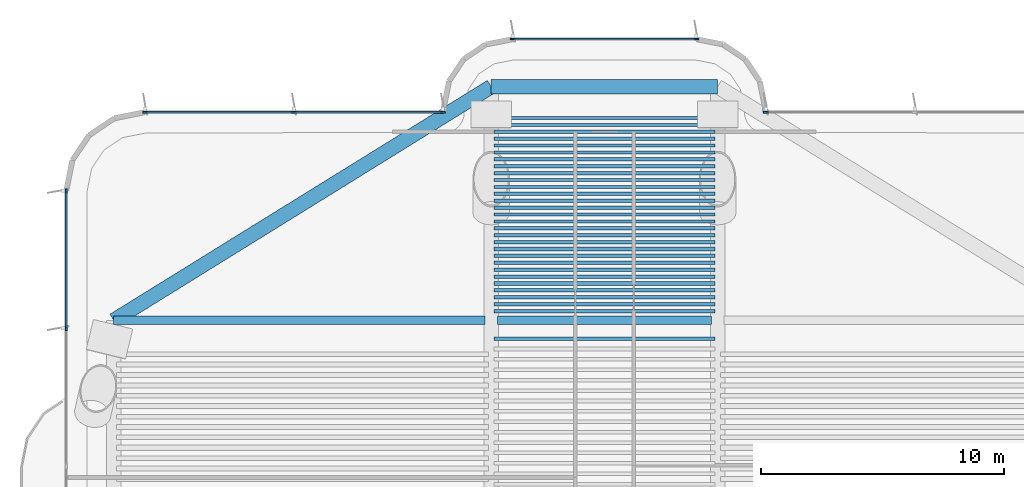
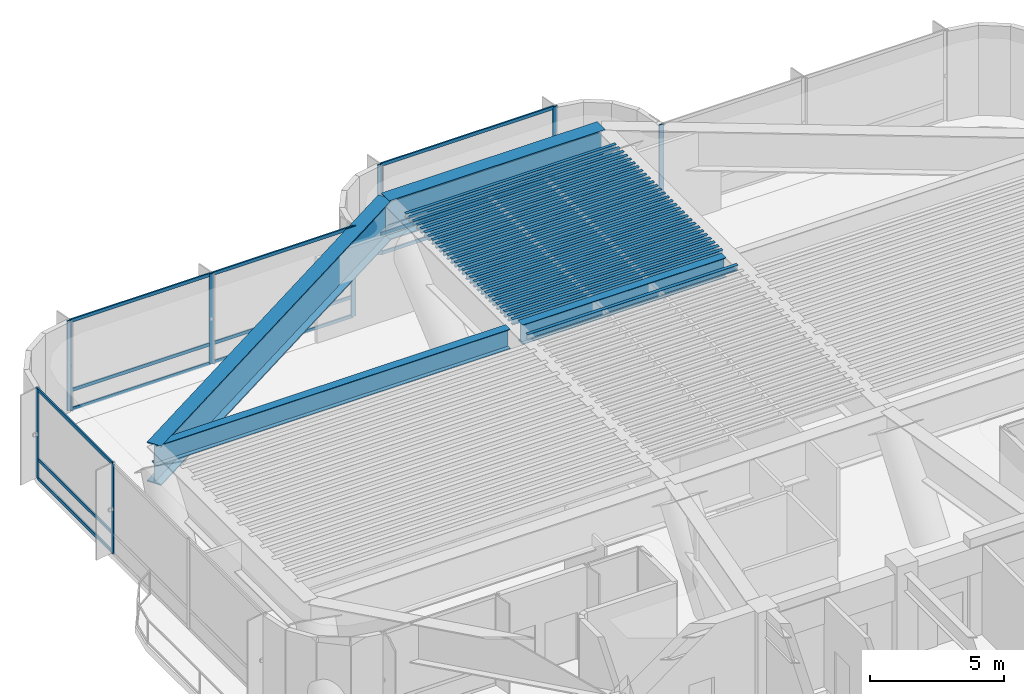
# One storey, part 5 of 14: 34 beams, 20 members, 4 elements without a shape of their own.
"""IFC4 building model written with IfcOpenShell, lengths in metres."""

from ifc_helpers import new_model, si_unit, direction, frame, origin, origin_2d, place, context, subcontext, project, spatial, rectangle, i_section, extrude, source, transform, mapped, material, layer, layer_set, material_profile, profile_set, type_object, element, aggregate, save


model = new_model("IFC4")

# Units and contexts
model_context = context("Model", 3, precision=1e-05, world=origin(), true_north=direction((0.0, 1.0)))
body_context = subcontext(model_context, "Body", "Model", "MODEL_VIEW")
ifc_project = project(units=[si_unit("LENGTHUNIT", "METRE"), si_unit("AREAUNIT", "SQUARE_METRE"), si_unit("VOLUMEUNIT", "CUBIC_METRE"), si_unit("PLANEANGLEUNIT", "RADIAN"), si_unit("MASSUNIT", "GRAM", prefix="KILO")], contexts=[model_context])

# Site, building, storey
site_placement = place(None, origin())
site = spatial("IfcSite", under=ifc_project, at=site_placement, CompositionType="ELEMENT")
building_placement = place(site_placement, origin())
building = spatial("IfcBuilding", under=site, at=building_placement, Name="Brelvock Crest Care Tower", CompositionType="ELEMENT")
storey_placement = place(building_placement, frame((0.0, 0.0, 85.320068359375)))
storey = spatial("IfcBuildingStorey", under=building, at=storey_placement, Name="L21", CompositionType="ELEMENT", Elevation=85.320068359375)

# Beams
ifc_material_1 = material(Name="Steel Grade 350", Category="steel")
ifc_material_profile_1 = material_profile(ifc_material_1, i_section(OverallWidth=0.60009765625, OverallDepth=1.800048828125, WebThickness=0.028076171875, FlangeThickness=0.052001953125, at=origin_2d()), Name="1800TG740")
ifc_profile_set_1 = profile_set([ifc_material_profile_1], Name="Steel Grade 350")
beam_type_1 = type_object("IfcBeamType", Name="BM-TG1", PredefinedType="USERDEFINED", material=ifc_profile_set_1)
shared_shape_1 = source(origin(), body_context, "Body", "SweptSolid", [
    extrude(i_section(OverallWidth=0.60009765625, OverallDepth=1.800048828125, WebThickness=0.028076171875, FlangeThickness=0.052001953125, at=origin_2d()), origin(), (0.0, 0.0, 1.0), 9.2998046875),
])
beam_1_placement = place(storey_placement, frame((31.35009765625, 48.449951171875, 3.19189453125), z_axis=(1.0, 0.0, 0.0), x_axis=(0.0, 1.0, 0.0)))
element("IfcBeam", 1, at=beam_1_placement, inside=storey, type_object=beam_type_1, Name="BM-TWR-L21-08", ObjectType="GIRDER", PredefinedType="USERDEFINED", context=body_context, shape_type="MappedRepresentation", body=[
    mapped(shared_shape_1, transform((0.0, 0.0, 0.0), x_axis=(1.0, 0.0, 0.0), y_axis=(0.0, 1.0, 0.0), z_axis=(0.0, 0.0, 1.0), scale=1.0)),
])
ifc_material_profile_2 = material_profile(ifc_material_1, i_section(OverallWidth=0.14599609375, OverallDepth=0.256103515625, WebThickness=0.00634765625, FlangeThickness=0.010986328125, FilletRadius=0.0087890625, at=origin_2d()), Name="250UB37.3")
ifc_profile_set_2 = profile_set([ifc_material_profile_2], Name="Steel Grade 350")
beam_type_2 = type_object("IfcBeamType", Name="BM-J3", PredefinedType="JOIST", material=ifc_profile_set_2)
shared_shape_2 = source(origin(), body_context, "Body", "SweptSolid", [
    extrude(i_section(OverallWidth=0.14599609375, OverallDepth=0.256103515625, WebThickness=0.00634765625, FlangeThickness=0.010986328125, FilletRadius=0.0087890625, at=origin_2d()), origin(), (0.0, 0.0, 1.0), 9.06982421875),
])
for number, where, z_axis, x_axis, name in (
    (2, (31.465087890625, 38.10400390625, 3.9638671875), (1.0, 0.0, 0.0), (0.0, 1.0, 0.0), "BM-JH-L21-25"),
    (3, (31.465087890625, 39.23388671875, 3.9638671875), (1.0, 0.0, 0.0), (0.0, 1.0, 0.0), "BM-JN-L21-1"),
    (4, (31.465087890625, 39.51708984375, 3.9638671875), (1.0, 0.0, 0.0), (0.0, 1.0, 0.0), "BM-JN-L21-2"),
    (5, (31.465087890625, 39.80029296875, 3.9638671875), (1.0, 0.0, 0.0), (0.0, 1.0, 0.0), "BM-JN-L21-3"),
    (6, (31.465087890625, 40.08349609375, 3.9638671875), (1.0, 0.0, 0.0), (0.0, 1.0, 0.0), "BM-JN-L21-4"),
    (7, (31.465087890625, 40.36669921875, 3.9638671875), (1.0, 0.0, 0.0), (0.0, 1.0, 0.0), "BM-JN-L21-5"),
    (8, (31.465087890625, 40.64990234375, 3.9638671875), (1.0, 0.0, 0.0), (0.0, 1.0, 0.0), "BM-JN-L21-6"),
    (9, (31.465087890625, 40.93310546875, 3.9638671875), (1.0, 0.0, 0.0), (0.0, 1.0, 0.0), "BM-JN-L21-7"),
    (10, (31.465087890625, 41.21630859375, 3.9638671875), (1.0, 0.0, 0.0), (0.0, 1.0, 0.0), "BM-JN-L21-8"),
    (11, (31.465087890625, 41.49951171875, 3.9638671875), (1.0, 0.0, 0.0), (0.0, 1.0, 0.0), "BM-JN-L21-9"),
    (12, (31.465087890625, 41.78271484375, 3.9638671875), (1.0, 0.0, 0.0), (0.0, 1.0, 0.0), "BM-JN-L21-10"),
    (13, (31.465087890625, 42.06591796875, 3.9638671875), (1.0, 0.0, 0.0), (0.0, 1.0, 0.0), "BM-JN-L21-11"),
    (14, (31.465087890625, 42.34912109375, 3.9638671875), (1.0, 0.0, 0.0), (0.0, 1.0, 0.0), "BM-JN-L21-12"),
    (15, (31.465087890625, 42.63232421875, 3.9638671875), (1.0, 0.0, 0.0), (0.0, 1.0, 0.0), "BM-JN-L21-13"),
):
    element("IfcBeam", number, at=place(storey_placement, frame(where, z_axis=z_axis, x_axis=x_axis)), inside=storey, type_object=beam_type_2, Name=name, PredefinedType="JOIST", context=body_context, shape_type="MappedRepresentation", body=[
        mapped(shared_shape_2, transform((0.0, 0.0, 0.0), x_axis=(1.0, 0.0, 0.0), y_axis=(0.0, 1.0, 0.0), z_axis=(0.0, 0.0, 1.0), scale=1.0)),
    ])
ifc_material_profile_3 = material_profile(ifc_material_1, i_section(OverallWidth=0.134033203125, OverallDepth=0.20703125, WebThickness=0.00634765625, FlangeThickness=0.009521484375, FilletRadius=0.0087890625, at=origin_2d()), Name="200UB29.8")
ifc_profile_set_3 = profile_set([ifc_material_profile_3], Name="Steel Grade 350")
beam_type_3 = type_object("IfcBeamType", Name="BM-J4", PredefinedType="JOIST", material=ifc_profile_set_3)
shared_shape_3 = source(origin(), body_context, "Body", "SweptSolid", [
    extrude(i_section(OverallWidth=0.134033203125, OverallDepth=0.20703125, WebThickness=0.00634765625, FlangeThickness=0.009521484375, FilletRadius=0.0087890625, at=origin_2d()), origin(), (0.0, 0.0, 1.0), 9.06982421875),
])
for number, where, z_axis, x_axis, name in (
    (16, (31.465087890625, 42.91552734375, 3.988525390625), (1.0, 0.0, 0.0), (0.0, 1.0, 0.0), "BM-JN-L21-14"),
    (17, (31.465087890625, 43.19873046875, 3.988525390625), (1.0, 0.0, 0.0), (0.0, 1.0, 0.0), "BM-JN-L21-15"),
    (18, (31.465087890625, 43.48193359375, 3.988525390625), (1.0, 0.0, 0.0), (0.0, 1.0, 0.0), "BM-JN-L21-16"),
    (19, (31.465087890625, 43.76513671875, 3.988525390625), (1.0, 0.0, 0.0), (0.0, 1.0, 0.0), "BM-JN-L21-17"),
    (20, (31.465087890625, 44.04833984375, 3.988525390625), (1.0, 0.0, 0.0), (0.0, 1.0, 0.0), "BM-JN-L21-18"),
    (21, (31.465087890625, 44.33154296875, 3.988525390625), (1.0, 0.0, 0.0), (0.0, 1.0, 0.0), "BM-JN-L21-19"),
    (22, (31.465087890625, 44.61474609375, 3.988525390625), (1.0, 0.0, 0.0), (0.0, 1.0, 0.0), "BM-JN-L21-20"),
    (23, (31.465087890625, 44.89794921875, 3.988525390625), (1.0, 0.0, 0.0), (0.0, 1.0, 0.0), "BM-JN-L21-21"),
    (24, (31.465087890625, 45.18115234375, 3.988525390625), (1.0, 0.0, 0.0), (0.0, 1.0, 0.0), "BM-JN-L21-22"),
    (25, (31.465087890625, 45.46435546875, 3.988525390625), (1.0, 0.0, 0.0), (0.0, 1.0, 0.0), "BM-JN-L21-23"),
    (26, (31.465087890625, 45.74755859375, 3.988525390625), (1.0, 0.0, 0.0), (0.0, 1.0, 0.0), "BM-JN-L21-24"),
    (27, (31.465087890625, 46.03076171875, 3.988525390625), (1.0, 0.0, 0.0), (0.0, 1.0, 0.0), "BM-JN-L21-25"),
    (28, (31.465087890625, 46.31396484375, 3.988525390625), (1.0, 0.0, 0.0), (0.0, 1.0, 0.0), "BM-JN-L21-26"),
    (29, (31.465087890625, 46.59716796875, 3.988525390625), (1.0, 0.0, 0.0), (0.0, 1.0, 0.0), "BM-JN-L21-27"),
    (30, (31.465087890625, 46.88037109375, 3.988525390625), (1.0, 0.0, 0.0), (0.0, 1.0, 0.0), "BM-JN-L21-28"),
    (31, (31.465087890625, 47.16357421875, 3.988525390625), (1.0, 0.0, 0.0), (0.0, 1.0, 0.0), "BM-JN-L21-29"),
):
    element("IfcBeam", number, at=place(storey_placement, frame(where, z_axis=z_axis, x_axis=x_axis)), inside=storey, type_object=beam_type_3, Name=name, PredefinedType="JOIST", context=body_context, shape_type="MappedRepresentation", body=[
        mapped(shared_shape_3, transform((0.0, 0.0, 0.0), x_axis=(1.0, 0.0, 0.0), y_axis=(0.0, 1.0, 0.0), z_axis=(0.0, 0.0, 1.0), scale=1.0)),
    ])
ifc_material_profile_4 = material_profile(ifc_material_1, i_section(OverallWidth=0.35009765625, OverallDepth=0.89990234375, WebThickness=0.01611328125, FlangeThickness=0.028076171875, at=origin_2d()), Name="900WB257")
ifc_profile_set_4 = profile_set([ifc_material_profile_4], Name="Steel Grade 350")
beam_type_4 = type_object("IfcBeamType", Name="BM-G6", PredefinedType="BEAM", material=ifc_profile_set_4)
shared_shape_4 = source(origin(), body_context, "Body", "SweptSolid", [
    extrude(i_section(OverallWidth=0.35009765625, OverallDepth=0.89990234375, WebThickness=0.01611328125, FlangeThickness=0.028076171875, at=origin_2d()), origin(), (0.0, 0.0, 1.0), 8.77978515625),
])
beam_2_placement = place(storey_placement, frame((31.610107421875, 38.85009765625, 3.641845703125), z_axis=(1.0, 0.0, 0.0), x_axis=(0.0, 1.0, 0.0)))
element("IfcBeam", 32, at=beam_2_placement, inside=storey, type_object=beam_type_4, Name="BM-TIE-L21-C", PredefinedType="BEAM", context=body_context, shape_type="MappedRepresentation", body=[
    mapped(shared_shape_4, transform((0.0, 0.0, 0.0), x_axis=(1.0, 0.0, 0.0), y_axis=(0.0, 1.0, 0.0), z_axis=(0.0, 0.0, 1.0), scale=1.0)),
])
shared_shape_5 = source(origin(), body_context, "Body", "SweptSolid", [
    extrude(i_section(OverallWidth=0.60009765625, OverallDepth=1.800048828125, WebThickness=0.028076171875, FlangeThickness=0.052001953125, at=origin_2d()), origin(), (0.0, 0.0, 1.0), 18.23193359375),
])
beam_3_placement = place(storey_placement, frame((15.85009765625, 38.85009765625, 3.19189453125), z_axis=(0.85015183248, 0.526537616635, 0.0), x_axis=(-0.526537616635, 0.85015183248, 0.0)))
element("IfcBeam", 33, at=beam_3_placement, inside=storey, type_object=beam_type_1, Name="BM-TWR-L21-06", ObjectType="GIRDER", PredefinedType="USERDEFINED", context=body_context, shape_type="MappedRepresentation", body=[
    mapped(shared_shape_5, transform((0.0, 0.0, 0.0), x_axis=(1.0, 0.0, 0.0), y_axis=(0.0, 1.0, 0.0), z_axis=(0.0, 0.0, 1.0), scale=1.0)),
])
shared_shape_6 = source(origin(), body_context, "Body", "SweptSolid", [
    extrude(i_section(OverallWidth=0.35009765625, OverallDepth=0.89990234375, WebThickness=0.01611328125, FlangeThickness=0.028076171875, at=origin_2d()), origin(), (0.0, 0.0, 1.0), 15.239990234375),
])
beam_4_placement = place(storey_placement, frame((15.85009765625, 38.85009765625, 3.641845703125), z_axis=(1.0, 0.0, 0.0), x_axis=(0.0, 1.0, 0.0)))
element("IfcBeam", 34, at=beam_4_placement, inside=storey, type_object=beam_type_4, Name="BM-TIE-L21-W", PredefinedType="BEAM", context=body_context, shape_type="MappedRepresentation", body=[
    mapped(shared_shape_6, transform((0.0, 0.0, 0.0), x_axis=(1.0, 0.0, 0.0), y_axis=(0.0, 1.0, 0.0), z_axis=(0.0, 0.0, 1.0), scale=1.0)),
])

# Curtain wall, members
ifc_material_2 = material(Name="Dark Glass Double Glazed Low-E", Category="glass")
ifc_layer = layer(ifc_material_2, 0.2548828125, Name="CWS-6")
ifc_layer_set = layer_set([ifc_layer], Name="Dark Glass Double Glazed Low-E")
curtain_wall_type = type_object("IfcCurtainWallType", Name="CWS-6", PredefinedType="NOTDEFINED", material=ifc_layer_set)
curtain_wall_1_placement = place(storey_placement, origin())
curtain_wall_1 = element("IfcCurtainWall", 35, at=curtain_wall_1_placement, inside=storey, type_object=curtain_wall_type, Name="L21 Curtain Wall E17", PredefinedType="NOTDEFINED")
ifc_material_3 = material(Name="Aluminium 6063-T6", Category="aluminium")
ifc_material_profile_5 = material_profile(ifc_material_3, rectangle(XDim=0.06494140625, YDim=0.199951171875, at=origin_2d()), Name="ALU65x200")
ifc_profile_set_5 = profile_set([ifc_material_profile_5], Name="Aluminium 6063-T6")
member_type_1 = type_object("IfcMemberType", Name="CWM-1", PredefinedType="MULLION", material=ifc_profile_set_5)
shared_shape_7 = source(origin(), body_context, "Body", "SweptSolid", [
    extrude(rectangle(XDim=0.06494140625, YDim=0.199951171875, at=origin_2d()), origin(), (0.0, 0.0, 1.0), 4.092041015625),
])
member_1_placement = place(storey_placement, frame((13.89990234375, 38.533447265625, 0.0), z_axis=(0.0, 0.0, 1.0), x_axis=(-1.0, 0.0, 0.0)))
member_1 = element("IfcMember", 36, at=member_1_placement, type_object=member_type_1, Name="CW-6 mullion 3", PredefinedType="MULLION", context=body_context, shape_type="MappedRepresentation", body=[
    mapped(shared_shape_7, transform((0.0, 0.0, 0.0), x_axis=(1.0, 0.0, 0.0), y_axis=(0.0, 1.0, 0.0), z_axis=(0.0, 0.0, 1.0), scale=1.0)),
])
member_2_placement = place(storey_placement, frame((13.89990234375, 44.16748046875, 0.0), z_axis=(0.0, 0.0, 1.0), x_axis=(-1.0, 0.0, 0.0)))
member_2 = element("IfcMember", 37, at=member_2_placement, type_object=member_type_1, Name="CW-6 mullion 4", PredefinedType="MULLION", context=body_context, shape_type="MappedRepresentation", body=[
    mapped(shared_shape_7, transform((0.0, 0.0, 0.0), x_axis=(1.0, 0.0, 0.0), y_axis=(0.0, 1.0, 0.0), z_axis=(0.0, 0.0, 1.0), scale=1.0)),
])

curtain_wall_2_placement = place(storey_placement, origin())
curtain_wall_2 = element("IfcCurtainWall", 38, at=curtain_wall_2_placement, inside=storey, type_object=curtain_wall_type, Name="L21 Curtain Wall E22", PredefinedType="NOTDEFINED")
member_3_placement = place(storey_placement, frame((17.132568359375, 47.39990234375, 0.0), z_axis=(0.0, 0.0, 1.0), x_axis=(0.0, 1.0, 0.0)))
member_3 = element("IfcMember", 39, at=member_3_placement, type_object=member_type_1, Name="CW-6 mullion 1", PredefinedType="MULLION", context=body_context, shape_type="MappedRepresentation", body=[
    mapped(shared_shape_7, transform((0.0, 0.0, 0.0), x_axis=(1.0, 0.0, 0.0), y_axis=(0.0, 1.0, 0.0), z_axis=(0.0, 0.0, 1.0), scale=1.0)),
])
member_4_placement = place(storey_placement, frame((23.25, 47.39990234375, 0.0), z_axis=(0.0, 0.0, 1.0), x_axis=(0.0, 1.0, 0.0)))
member_4 = element("IfcMember", 40, at=member_4_placement, type_object=member_type_1, Name="CW-6 mullion 2", PredefinedType="MULLION", context=body_context, shape_type="MappedRepresentation", body=[
    mapped(shared_shape_7, transform((0.0, 0.0, 0.0), x_axis=(1.0, 0.0, 0.0), y_axis=(0.0, 1.0, 0.0), z_axis=(0.0, 0.0, 1.0), scale=1.0)),
])
member_5_placement = place(storey_placement, frame((29.367431640625, 47.39990234375, 0.0), z_axis=(0.0, 0.0, 1.0), x_axis=(0.0, 1.0, 0.0)))
member_5 = element("IfcMember", 41, at=member_5_placement, type_object=member_type_1, Name="CW-6 mullion 3", PredefinedType="MULLION", context=body_context, shape_type="MappedRepresentation", body=[
    mapped(shared_shape_7, transform((0.0, 0.0, 0.0), x_axis=(1.0, 0.0, 0.0), y_axis=(0.0, 1.0, 0.0), z_axis=(0.0, 0.0, 1.0), scale=1.0)),
])

curtain_wall_3_placement = place(storey_placement, origin())
curtain_wall_3 = element("IfcCurtainWall", 42, at=curtain_wall_3_placement, inside=storey, type_object=curtain_wall_type, Name="L21 Curtain Wall E28", PredefinedType="NOTDEFINED")
member_6_placement = place(storey_placement, frame((32.232421875, 50.39990234375, 0.0), z_axis=(0.0, 0.0, 1.0), x_axis=(0.0, 1.0, 0.0)))
member_6 = element("IfcMember", 43, at=member_6_placement, type_object=member_type_1, Name="CW-6 mullion 1", PredefinedType="MULLION", context=body_context, shape_type="MappedRepresentation", body=[
    mapped(shared_shape_7, transform((0.0, 0.0, 0.0), x_axis=(1.0, 0.0, 0.0), y_axis=(0.0, 1.0, 0.0), z_axis=(0.0, 0.0, 1.0), scale=1.0)),
])
member_7_placement = place(storey_placement, frame((39.767578125, 50.39990234375, 0.0), z_axis=(0.0, 0.0, 1.0), x_axis=(0.0, 1.0, 0.0)))
member_7 = element("IfcMember", 44, at=member_7_placement, type_object=member_type_1, Name="CW-6 mullion 2", PredefinedType="MULLION", context=body_context, shape_type="MappedRepresentation", body=[
    mapped(shared_shape_7, transform((0.0, 0.0, 0.0), x_axis=(1.0, 0.0, 0.0), y_axis=(0.0, 1.0, 0.0), z_axis=(0.0, 0.0, 1.0), scale=1.0)),
])

# Curtain wall, member
curtain_wall_4_placement = place(storey_placement, origin())
curtain_wall_4 = element("IfcCurtainWall", 45, at=curtain_wall_4_placement, inside=storey, type_object=curtain_wall_type, Name="L21 Curtain Wall E34", PredefinedType="NOTDEFINED")
member_8_placement = place(storey_placement, frame((42.632568359375, 47.39990234375, 0.0), z_axis=(0.0, 0.0, 1.0), x_axis=(0.0, 1.0, 0.0)))
member_8 = element("IfcMember", 46, at=member_8_placement, type_object=member_type_1, Name="CW-6 mullion 1", PredefinedType="MULLION", context=body_context, shape_type="MappedRepresentation", body=[
    mapped(shared_shape_7, transform((0.0, 0.0, 0.0), x_axis=(1.0, 0.0, 0.0), y_axis=(0.0, 1.0, 0.0), z_axis=(0.0, 0.0, 1.0), scale=1.0)),
])
aggregate(curtain_wall_4, [member_8])

# Member
ifc_material_profile_6 = material_profile(ifc_material_3, rectangle(XDim=0.06494140625, YDim=0.14990234375, at=origin_2d()), Name="ALU65x150")
ifc_profile_set_6 = profile_set([ifc_material_profile_6], Name="Aluminium 6063-T6")
member_type_2 = type_object("IfcMemberType", Name="CWT-1", PredefinedType="USERDEFINED", material=ifc_profile_set_6)
shared_shape_8 = source(origin(), body_context, "Body", "SweptSolid", [
    extrude(rectangle(XDim=0.06494140625, YDim=0.14990234375, at=origin_2d()), origin(), (0.0, 0.0, 1.0), 5.569091796875),
])
member_9_placement = place(storey_placement, frame((13.89990234375, 38.56591796875, 0.032470703125), z_axis=(0.0, 1.0, 0.0), x_axis=(-1.0, 0.0, 0.0)))
member_9 = element("IfcMember", 47, at=member_9_placement, type_object=member_type_2, Name="CW-6 transom 3.1", ObjectType="TRANSOM", PredefinedType="USERDEFINED", context=body_context, shape_type="MappedRepresentation", body=[
    mapped(shared_shape_8, transform((0.0, 0.0, 0.0), x_axis=(1.0, 0.0, 0.0), y_axis=(0.0, 1.0, 0.0), z_axis=(0.0, 0.0, 1.0), scale=1.0)),
])

member_10_placement = place(storey_placement, frame((13.89990234375, 38.56591796875, 0.89990234375), z_axis=(0.0, 1.0, 0.0), x_axis=(-1.0, 0.0, 0.0)))
member_10 = element("IfcMember", 48, at=member_10_placement, type_object=member_type_2, Name="CW-6 transom 3.2", ObjectType="TRANSOM", PredefinedType="USERDEFINED", context=body_context, shape_type="MappedRepresentation", body=[
    mapped(shared_shape_8, transform((0.0, 0.0, 0.0), x_axis=(1.0, 0.0, 0.0), y_axis=(0.0, 1.0, 0.0), z_axis=(0.0, 0.0, 1.0), scale=1.0)),
])

member_11_placement = place(storey_placement, frame((13.89990234375, 38.56591796875, 4.059326171875), z_axis=(0.0, 1.0, 0.0), x_axis=(-1.0, 0.0, 0.0)))
member_11 = element("IfcMember", 49, at=member_11_placement, type_object=member_type_2, Name="CW-6 transom 3.3", ObjectType="TRANSOM", PredefinedType="USERDEFINED", context=body_context, shape_type="MappedRepresentation", body=[
    mapped(shared_shape_8, transform((0.0, 0.0, 0.0), x_axis=(1.0, 0.0, 0.0), y_axis=(0.0, 1.0, 0.0), z_axis=(0.0, 0.0, 1.0), scale=1.0)),
])

aggregate(curtain_wall_1, [member_1, member_2, member_9, member_10, member_11])

shared_shape_9 = source(origin(), body_context, "Body", "SweptSolid", [
    extrude(rectangle(XDim=0.06494140625, YDim=0.14990234375, at=origin_2d()), origin(), (0.0, 0.0, 1.0), 6.052490234375),
])
member_12_placement = place(storey_placement, frame((17.1650390625, 47.39990234375, 0.032470703125), z_axis=(1.0, 0.0, 0.0), x_axis=(0.0, 1.0, 0.0)))
member_12 = element("IfcMember", 50, at=member_12_placement, type_object=member_type_2, Name="CW-6 transom 1.1", ObjectType="TRANSOM", PredefinedType="USERDEFINED", context=body_context, shape_type="MappedRepresentation", body=[
    mapped(shared_shape_9, transform((0.0, 0.0, 0.0), x_axis=(1.0, 0.0, 0.0), y_axis=(0.0, 1.0, 0.0), z_axis=(0.0, 0.0, 1.0), scale=1.0)),
])

member_13_placement = place(storey_placement, frame((17.1650390625, 47.39990234375, 0.89990234375), z_axis=(1.0, 0.0, 0.0), x_axis=(0.0, 1.0, 0.0)))
member_13 = element("IfcMember", 51, at=member_13_placement, type_object=member_type_2, Name="CW-6 transom 1.2", ObjectType="TRANSOM", PredefinedType="USERDEFINED", context=body_context, shape_type="MappedRepresentation", body=[
    mapped(shared_shape_9, transform((0.0, 0.0, 0.0), x_axis=(1.0, 0.0, 0.0), y_axis=(0.0, 1.0, 0.0), z_axis=(0.0, 0.0, 1.0), scale=1.0)),
])

member_14_placement = place(storey_placement, frame((17.1650390625, 47.39990234375, 4.059326171875), z_axis=(1.0, 0.0, 0.0), x_axis=(0.0, 1.0, 0.0)))
member_14 = element("IfcMember", 52, at=member_14_placement, type_object=member_type_2, Name="CW-6 transom 1.3", ObjectType="TRANSOM", PredefinedType="USERDEFINED", context=body_context, shape_type="MappedRepresentation", body=[
    mapped(shared_shape_9, transform((0.0, 0.0, 0.0), x_axis=(1.0, 0.0, 0.0), y_axis=(0.0, 1.0, 0.0), z_axis=(0.0, 0.0, 1.0), scale=1.0)),
])

member_15_placement = place(storey_placement, frame((23.282470703125, 47.39990234375, 0.032470703125), z_axis=(1.0, 0.0, 0.0), x_axis=(0.0, 1.0, 0.0)))
member_15 = element("IfcMember", 53, at=member_15_placement, type_object=member_type_2, Name="CW-6 transom 2.1", ObjectType="TRANSOM", PredefinedType="USERDEFINED", context=body_context, shape_type="MappedRepresentation", body=[
    mapped(shared_shape_9, transform((0.0, 0.0, 0.0), x_axis=(1.0, 0.0, 0.0), y_axis=(0.0, 1.0, 0.0), z_axis=(0.0, 0.0, 1.0), scale=1.0)),
])

member_16_placement = place(storey_placement, frame((23.282470703125, 47.39990234375, 0.89990234375), z_axis=(1.0, 0.0, 0.0), x_axis=(0.0, 1.0, 0.0)))
member_16 = element("IfcMember", 54, at=member_16_placement, type_object=member_type_2, Name="CW-6 transom 2.2", ObjectType="TRANSOM", PredefinedType="USERDEFINED", context=body_context, shape_type="MappedRepresentation", body=[
    mapped(shared_shape_9, transform((0.0, 0.0, 0.0), x_axis=(1.0, 0.0, 0.0), y_axis=(0.0, 1.0, 0.0), z_axis=(0.0, 0.0, 1.0), scale=1.0)),
])

member_17_placement = place(storey_placement, frame((23.282470703125, 47.39990234375, 4.059326171875), z_axis=(1.0, 0.0, 0.0), x_axis=(0.0, 1.0, 0.0)))
member_17 = element("IfcMember", 55, at=member_17_placement, type_object=member_type_2, Name="CW-6 transom 2.3", ObjectType="TRANSOM", PredefinedType="USERDEFINED", context=body_context, shape_type="MappedRepresentation", body=[
    mapped(shared_shape_9, transform((0.0, 0.0, 0.0), x_axis=(1.0, 0.0, 0.0), y_axis=(0.0, 1.0, 0.0), z_axis=(0.0, 0.0, 1.0), scale=1.0)),
])

aggregate(curtain_wall_2, [member_3, member_4, member_5, member_12, member_13, member_14, member_15, member_16, member_17])

shared_shape_10 = source(origin(), body_context, "Body", "SweptSolid", [
    extrude(rectangle(XDim=0.06494140625, YDim=0.14990234375, at=origin_2d()), origin(), (0.0, 0.0, 1.0), 7.47021484375),
])
member_18_placement = place(storey_placement, frame((32.264892578125, 50.39990234375, 0.032470703125), z_axis=(1.0, 0.0, 0.0), x_axis=(0.0, 1.0, 0.0)))
member_18 = element("IfcMember", 56, at=member_18_placement, type_object=member_type_2, Name="CW-6 transom 1.1", ObjectType="TRANSOM", PredefinedType="USERDEFINED", context=body_context, shape_type="MappedRepresentation", body=[
    mapped(shared_shape_10, transform((0.0, 0.0, 0.0), x_axis=(1.0, 0.0, 0.0), y_axis=(0.0, 1.0, 0.0), z_axis=(0.0, 0.0, 1.0), scale=1.0)),
])

member_19_placement = place(storey_placement, frame((32.264892578125, 50.39990234375, 0.89990234375), z_axis=(1.0, 0.0, 0.0), x_axis=(0.0, 1.0, 0.0)))
member_19 = element("IfcMember", 57, at=member_19_placement, type_object=member_type_2, Name="CW-6 transom 1.2", ObjectType="TRANSOM", PredefinedType="USERDEFINED", context=body_context, shape_type="MappedRepresentation", body=[
    mapped(shared_shape_10, transform((0.0, 0.0, 0.0), x_axis=(1.0, 0.0, 0.0), y_axis=(0.0, 1.0, 0.0), z_axis=(0.0, 0.0, 1.0), scale=1.0)),
])

member_20_placement = place(storey_placement, frame((32.264892578125, 50.39990234375, 4.059326171875), z_axis=(1.0, 0.0, 0.0), x_axis=(0.0, 1.0, 0.0)))
member_20 = element("IfcMember", 58, at=member_20_placement, type_object=member_type_2, Name="CW-6 transom 1.3", ObjectType="TRANSOM", PredefinedType="USERDEFINED", context=body_context, shape_type="MappedRepresentation", body=[
    mapped(shared_shape_10, transform((0.0, 0.0, 0.0), x_axis=(1.0, 0.0, 0.0), y_axis=(0.0, 1.0, 0.0), z_axis=(0.0, 0.0, 1.0), scale=1.0)),
])

aggregate(curtain_wall_3, [member_6, member_7, member_18, member_19, member_20])

save(model, "model.ifc")
